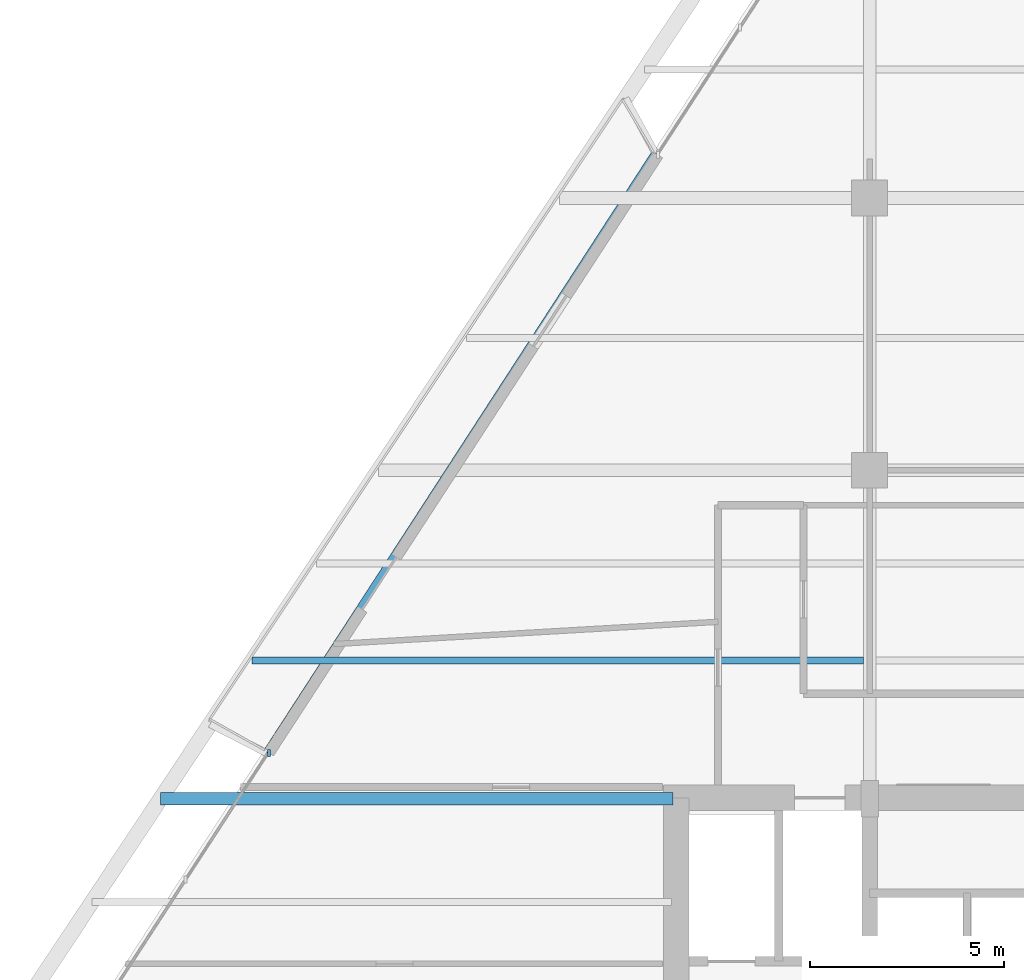
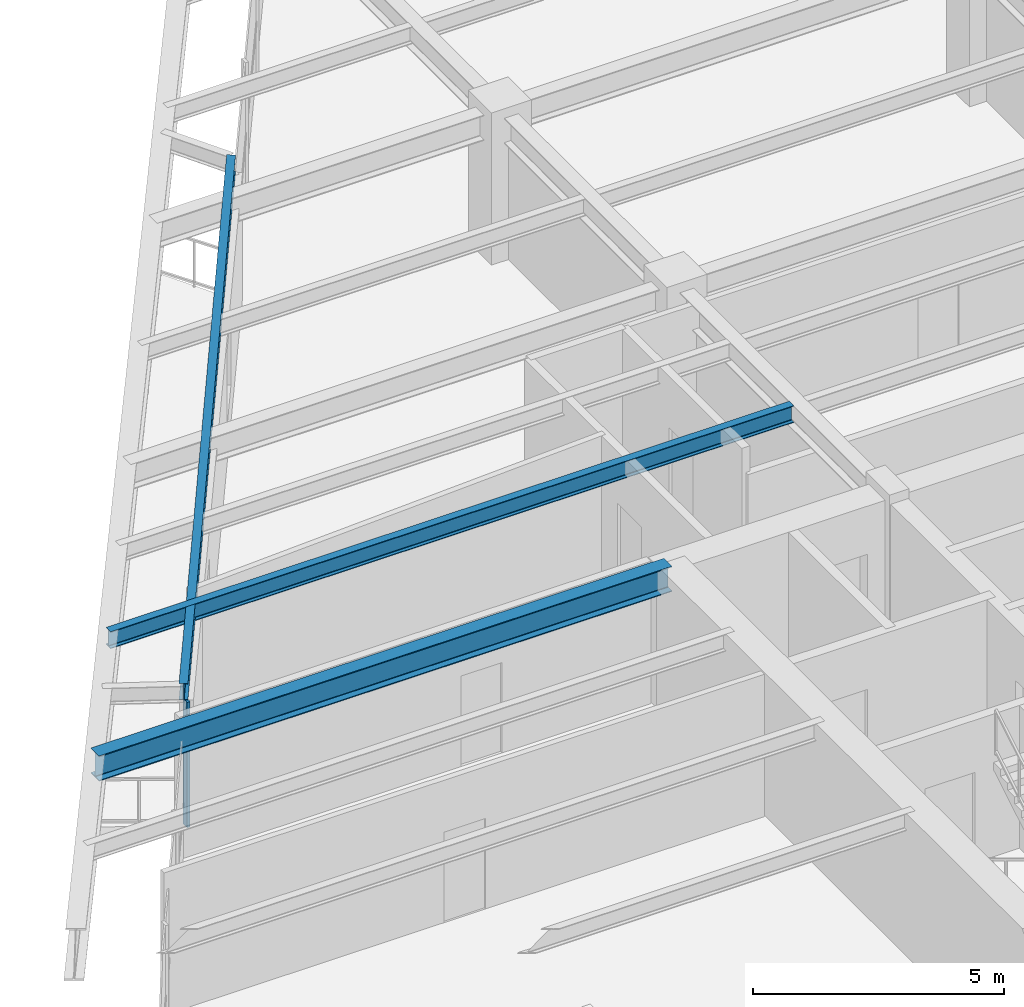
# One storey, part 4 of 15: 3 beams, 1 member, 1 element without a shape of its own.
"""IFC4 building model written with IfcOpenShell, lengths in metres."""

from ifc_helpers import new_model, si_unit, direction, frame, origin, origin_2d, place, context, subcontext, project, spatial, rectangle, i_section, extrude, source, transform, mapped, material, material_profile, profile_set, type_object, element, aggregate, save


model = new_model("IFC4")

# Units and contexts
model_context = context("Model", 3, precision=1e-05, world=origin(), true_north=direction((0.0, 1.0)))
body_context = subcontext(model_context, "Body", "Model", "MODEL_VIEW")
ifc_project = project(units=[si_unit("LENGTHUNIT", "METRE"), si_unit("AREAUNIT", "SQUARE_METRE"), si_unit("VOLUMEUNIT", "CUBIC_METRE"), si_unit("PLANEANGLEUNIT", "RADIAN"), si_unit("MASSUNIT", "GRAM", prefix="KILO")], contexts=[model_context])

# Site, building, storey
site_placement = place(None, origin())
site = spatial("IfcSite", under=ifc_project, at=site_placement, CompositionType="ELEMENT")
building_placement = place(site_placement, origin())
building = spatial("IfcBuilding", under=site, at=building_placement, Name="Varnakhor Terracotta Tower", CompositionType="ELEMENT")
storey_placement = place(building_placement, frame((0.0, 0.0, 140.39990234375)))
storey = spatial("IfcBuildingStorey", under=building, at=storey_placement, Name="L35", CompositionType="ELEMENT", Elevation=140.39990234375)

# Beams
ifc_material_1 = material(Name="Steel S355", Category="steel")
ifc_material_profile_1 = material_profile(ifc_material_1, i_section(OverallWidth=0.179931640625, OverallDepth=0.39990234375, WebThickness=0.008544921875, FlangeThickness=0.013427734375, FilletRadius=0.01806640625, at=origin_2d()), Name="IPE400")
ifc_profile_set_1 = profile_set([ifc_material_profile_1], Name="Steel S355")
beam_type_1 = type_object("IfcBeamType", Name="JST-IPE400", PredefinedType="JOIST", material=ifc_profile_set_1)
shared_shape_1 = source(origin(), body_context, "Body", "SweptSolid", [
    extrude(i_section(OverallWidth=0.179931640625, OverallDepth=0.39990234375, WebThickness=0.008544921875, FlangeThickness=0.013427734375, FilletRadius=0.01806640625, at=origin_2d()), origin(), (0.0, 0.0, 1.0), 18.396240234375),
])
beam_1_placement = place(storey_placement, frame((-11.010986328125, 32.66357421875, 3.27001953125), z_axis=(-0.544015380352, -0.839075244505, 0.0), x_axis=(0.839075244505, -0.544015380352, 0.0)))
element("IfcBeam", 1, at=beam_1_placement, inside=storey, type_object=beam_type_1, Name="L35 Loggia Edge Beam 2", PredefinedType="JOIST", context=body_context, shape_type="MappedRepresentation", body=[
    mapped(shared_shape_1, transform((0.0, 0.0, 0.0), scale=1.0)),
])
ifc_material_profile_2 = material_profile(ifc_material_1, i_section(OverallWidth=0.324951171875, OverallDepth=0.615966796875, WebThickness=0.013916015625, FlangeThickness=0.02197265625, FilletRadius=0.01806640625, at=origin_2d()), Name="W24X117")
ifc_profile_set_2 = profile_set([ifc_material_profile_2], Name="Steel S355")
beam_type_2 = type_object("IfcBeamType", Name="BM-W24X117", PredefinedType="BEAM", material=ifc_profile_set_2)
shared_shape_2 = source(origin(), body_context, "Body", "SweptSolid", [
    extrude(i_section(OverallWidth=0.324951171875, OverallDepth=0.615966796875, WebThickness=0.013916015625, FlangeThickness=0.02197265625, FilletRadius=0.01806640625, at=origin_2d()), origin(), (0.0, 0.0, 1.0), 13.184814453125),
])
beam_2_placement = place(storey_placement, frame((-23.73486328125, 16.050048828125, 3.162109375), z_axis=(1.0, 0.0, 0.0), x_axis=(0.0, 1.0, 0.0)))
element("IfcBeam", 2, at=beam_2_placement, inside=storey, type_object=beam_type_2, Name="L35 Wing Girder W", PredefinedType="BEAM", context=body_context, shape_type="MappedRepresentation", body=[
    mapped(shared_shape_2, transform((0.0, 0.0, 0.0), scale=1.0)),
])
ifc_material_profile_3 = material_profile(ifc_material_1, i_section(OverallWidth=0.179931640625, OverallDepth=0.4130859375, WebThickness=0.009765625, FlangeThickness=0.01611328125, FilletRadius=0.01806640625, at=origin_2d()), Name="W16X50")
ifc_profile_set_3 = profile_set([ifc_material_profile_3], Name="Steel S355")
beam_type_3 = type_object("IfcBeamType", Name="JST-W16X50", PredefinedType="JOIST", material=ifc_profile_set_3)
shared_shape_3 = source(origin(), body_context, "Body", "SweptSolid", [
    extrude(i_section(OverallWidth=0.179931640625, OverallDepth=0.4130859375, WebThickness=0.009765625, FlangeThickness=0.01611328125, FilletRadius=0.01806640625, at=origin_2d()), origin(), (0.0, 0.0, 1.0), 15.719970703125),
])
beam_3_placement = place(storey_placement, frame((-21.37841796875, 19.60009765625, 3.263671875), z_axis=(1.0, 0.0, 0.0), x_axis=(0.0, 1.0, 0.0)))
element("IfcBeam", 3, at=beam_3_placement, inside=storey, type_object=beam_type_3, Name="L35 Composite Floor Joist 4-1", PredefinedType="JOIST", context=body_context, shape_type="MappedRepresentation", body=[
    mapped(shared_shape_3, transform((0.0, 0.0, 0.0), scale=1.0)),
])

# Curtain wall, member
ifc_material_2 = material(Name="Anodised Aluminium Curtain Wall System", Category="aluminium")
curtain_wall_type = type_object("IfcCurtainWallType", Name="CW-SYS-MID-OFFICE", PredefinedType="NOTDEFINED", material=ifc_material_2)
curtain_wall_placement = place(storey_placement, origin())
curtain_wall = element("IfcCurtainWall", 4, at=curtain_wall_placement, inside=storey, type_object=curtain_wall_type, Name="L35 W Facet Curtain Wall 1", PredefinedType="NOTDEFINED")
ifc_material_3 = material(Name="Anodised Aluminium 6063-T6", Category="aluminium")
ifc_material_profile_4 = material_profile(ifc_material_3, rectangle(XDim=0.070068359375, YDim=0.175048828125, at=origin_2d()), Name="ALU MULLION 70x175")
ifc_profile_set_4 = profile_set([ifc_material_profile_4], Name="Anodised Aluminium 6063-T6")
member_type = type_object("IfcMemberType", Name="CWM-03", PredefinedType="MULLION", material=ifc_profile_set_4)
shared_shape_4 = source(origin(), body_context, "Body", "SweptSolid", [
    extrude(rectangle(XDim=0.070068359375, YDim=0.175048828125, at=origin_2d()), origin(), (0.0, 0.0, 1.0), 3.050048828125),
])
member_placement = place(storey_placement, frame((-20.947998046875, 17.2294921875, 0.0), z_axis=(0.0, 0.0, 1.0), x_axis=(1.0, 0.0, 0.0)))
member = element("IfcMember", 5, at=member_placement, type_object=member_type, Name="L35 W Loggia Jamb Closure Mullion 1", PredefinedType="MULLION", context=body_context, shape_type="MappedRepresentation", body=[
    mapped(shared_shape_4, transform((0.0, 0.0, 0.0), scale=1.0)),
])
aggregate(curtain_wall, [member])

save(model, "model.ifc")
